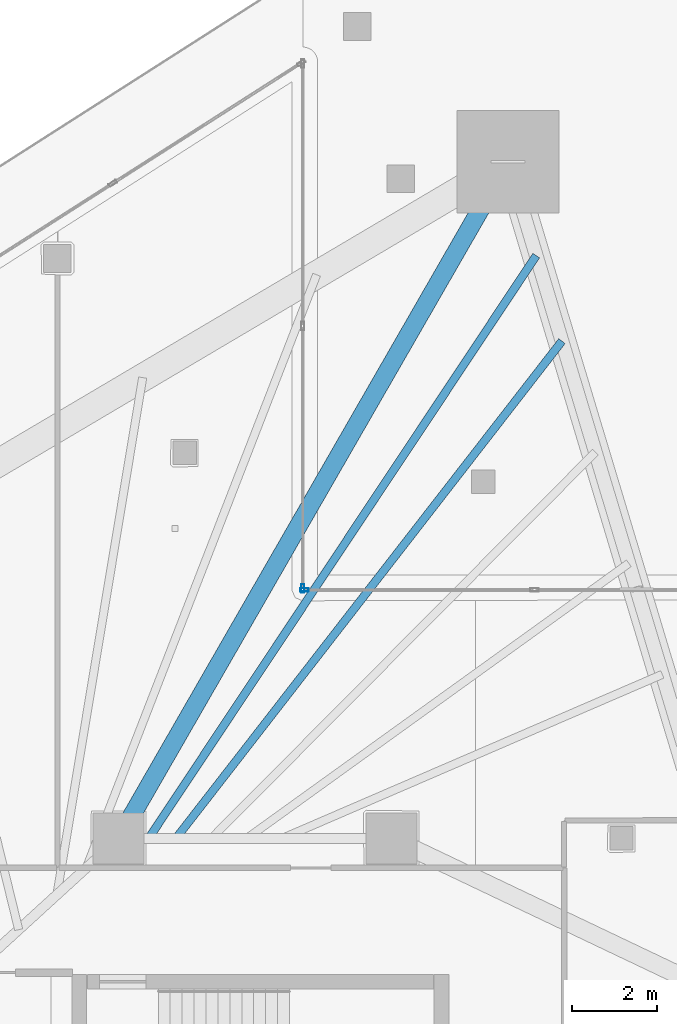
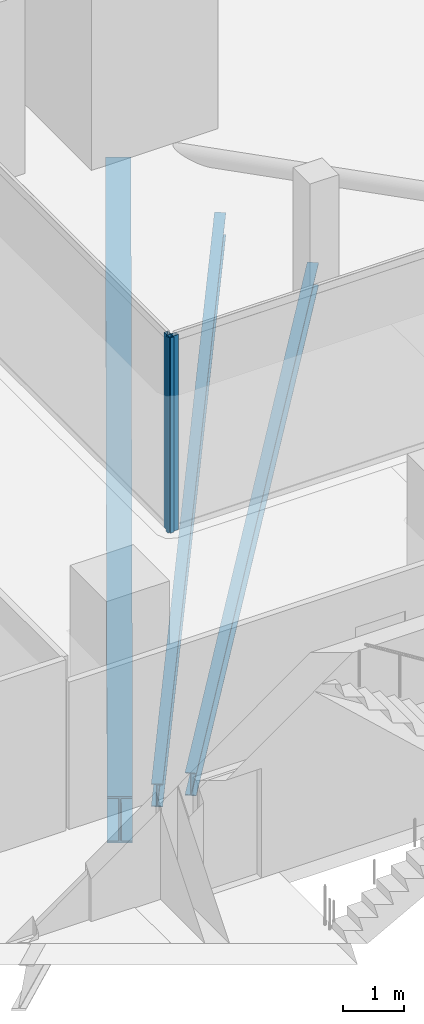
# One storey, part 18 of 44: 3 beams, 2 members, 2 elements without a shape of their own.
"""IFC4 building model written with IfcOpenShell, lengths in metres."""

from ifc_helpers import new_model, si_unit, direction, frame, origin, origin_2d, place, context, subcontext, project, spatial, hollow_rectangle, i_section, extrude, material, layer, layer_set, material_profile, profile_set, type_object, element, aggregate, save


model = new_model("IFC4")

# Units and contexts
model_context = context("Model", 3, precision=1e-05, world=origin(), true_north=direction((0.0, 1.0)))
body_context = subcontext(model_context, "Body", "Model", "MODEL_VIEW")
ifc_project = project(units=[si_unit("LENGTHUNIT", "METRE"), si_unit("AREAUNIT", "SQUARE_METRE"), si_unit("VOLUMEUNIT", "CUBIC_METRE"), si_unit("PLANEANGLEUNIT", "RADIAN"), si_unit("MASSUNIT", "GRAM", prefix="KILO")], contexts=[model_context])

# Site, building, storey
site_placement = place(None, origin())
site = spatial("IfcSite", under=ifc_project, at=site_placement, CompositionType="ELEMENT")
building_placement = place(site_placement, origin())
building = spatial("IfcBuilding", under=site, at=building_placement, Name="Qorvath Tower", CompositionType="ELEMENT")
storey_placement = place(building_placement, frame((0.0, 0.0, 78.60009765625)))
storey = spatial("IfcBuildingStorey", under=building, at=storey_placement, Name="L17", CompositionType="ELEMENT", Elevation=78.60009765625)

# Beams
ifc_material_1 = material(Name="Steel ASTM A992 Grade 50", Category="steel")
ifc_material_profile_1 = material_profile(ifc_material_1, i_section(OverallWidth=0.422119140625, OverallDepth=0.93310546875, WebThickness=0.021240234375, FlangeThickness=0.039794921875, FilletRadius=0.02392578125, at=origin_2d()), Name="W36x262")
ifc_profile_set_1 = profile_set([ifc_material_profile_1], Name="Steel ASTM A992 Grade 50")
beam_type_1 = type_object("IfcBeamType", Name="BM-FG1", PredefinedType="BEAM", material=ifc_profile_set_1)
beam_1_placement = place(storey_placement, frame((-23.60009765625, 11.449951171875, -0.74658203125), z_axis=(0.498645367714, 0.866806089767, 0.0), x_axis=(-0.866806089767, 0.498645367714, 0.0)))
element("IfcBeam", 1, at=beam_1_placement, inside=storey, type_object=beam_type_1, Name="Radial Floor Girder CC1-MC6 L17", PredefinedType="BEAM", context=body_context, shape_type="SweptSolid", body=[
    extrude(i_section(OverallWidth=0.422119140625, OverallDepth=0.93310546875, WebThickness=0.021240234375, FlangeThickness=0.039794921875, FilletRadius=0.02392578125, at=origin_2d()), origin(), (0.0, 0.0, 1.0), 18.321044921875),
])
ifc_material_2 = material(Name="Steel ASTM A992 Grade 50", Category="steel")
ifc_material_profile_2 = material_profile(ifc_material_2, i_section(OverallWidth=0.18994140625, OverallDepth=0.45703125, WebThickness=0.009033203125, FlangeThickness=0.014404296875, FilletRadius=0.011962890625, at=origin_2d()), Name="W18x50")
ifc_profile_set_2 = profile_set([ifc_material_profile_2], Name="Steel ASTM A992 Grade 50")
beam_type_2 = type_object("IfcBeamType", Name="BM-FJ2", PredefinedType="JOIST", material=ifc_profile_set_2)
beam_2_placement = place(storey_placement, frame((-22.256103515625, 11.449951171875, -0.508544921875), z_axis=(0.613206963859, 0.789922286984, 0.0), x_axis=(-0.789922286984, 0.613206963859, 0.0)))
element("IfcBeam", 2, at=beam_2_placement, inside=storey, type_object=beam_type_2, Name="Composite Floor Joist NE6 L17", PredefinedType="JOIST", context=body_context, shape_type="SweptSolid", body=[
    extrude(i_section(OverallWidth=0.18994140625, OverallDepth=0.45703125, WebThickness=0.009033203125, FlangeThickness=0.014404296875, FilletRadius=0.011962890625, at=origin_2d()), origin(), (0.0, 0.0, 1.0), 14.77294921875),
])
beam_3_placement = place(storey_placement, frame((-22.89599609375, 11.449951171875, -0.508544921875), z_axis=(0.553811384989, 0.83264214994, 0.0), x_axis=(-0.83264214994, 0.553811384989, 0.0)))
element("IfcBeam", 3, at=beam_3_placement, inside=storey, type_object=beam_type_2, Name="Composite Floor Joist NE7 L17", PredefinedType="JOIST", context=body_context, shape_type="SweptSolid", body=[
    extrude(i_section(OverallWidth=0.18994140625, OverallDepth=0.45703125, WebThickness=0.009033203125, FlangeThickness=0.014404296875, FilletRadius=0.011962890625, at=origin_2d()), origin(), (0.0, 0.0, 1.0), 16.42333984375),
])

# Curtain wall, member
ifc_material_3 = material(Name="Anodised aluminium and triple low-E glass", Category="aluminium")
ifc_layer = layer(ifc_material_3, 0.179931640625)
ifc_layer_set = layer_set([ifc_layer], Name="CW-SYS-5")
curtain_wall_type = type_object("IfcCurtainWallType", Name="CW-SYS-5", PredefinedType="NOTDEFINED", material=ifc_layer_set)
curtain_wall_1_placement = place(storey_placement, origin())
curtain_wall_1 = element("IfcCurtainWall", 4, at=curtain_wall_1_placement, inside=storey, type_object=curtain_wall_type, Name="Curtain Wall CW-5 CW-T-L17-2.1", PredefinedType="NOTDEFINED")
ifc_material_4 = material(Name="Anodised aluminium 6063-T6", Category="aluminium")
ifc_material_profile_3 = material_profile(ifc_material_4, hollow_rectangle(XDim=0.074951171875, YDim=0.199951171875, WallThickness=0.00390625, InnerFilletRadius=0.00390625, OuterFilletRadius=0.008056640625, at=origin_2d()), Name="CWM 200x75")
ifc_profile_set_3 = profile_set([ifc_material_profile_3], Name="Anodised aluminium 6063-T6")
member_type = type_object("IfcMemberType", Name="CWM-200", PredefinedType="MULLION", material=ifc_profile_set_3)
member_1_placement = place(storey_placement, frame((-19.242431640625, 17.280029296875, 0.0), z_axis=(0.0, 0.0, 1.0), x_axis=(0.0, -1.0, 0.0)))
member_1 = element("IfcMember", 5, at=member_1_placement, type_object=member_type, Name="CW-5 mullion 4", PredefinedType="MULLION", context=body_context, shape_type="SweptSolid", body=[
    extrude(hollow_rectangle(XDim=0.074951171875, YDim=0.199951171875, WallThickness=0.00390625, InnerFilletRadius=0.00390625, OuterFilletRadius=0.008056640625, at=origin_2d()), origin(), (0.0, 0.0, 1.0), 3.919921875),
])
aggregate(curtain_wall_1, [member_1])

curtain_wall_2_placement = place(storey_placement, origin())
curtain_wall_2 = element("IfcCurtainWall", 6, at=curtain_wall_2_placement, inside=storey, type_object=curtain_wall_type, Name="Curtain Wall CW-5 CW-T-L17-3.1", PredefinedType="NOTDEFINED")
member_2_placement = place(storey_placement, frame((-19.280029296875, 17.3173828125, 0.0), z_axis=(0.0, 0.0, 1.0), x_axis=(-1.0, 0.0, 0.0)))
member_2 = element("IfcMember", 7, at=member_2_placement, type_object=member_type, Name="CW-5 mullion 1", PredefinedType="MULLION", context=body_context, shape_type="SweptSolid", body=[
    extrude(hollow_rectangle(XDim=0.074951171875, YDim=0.199951171875, WallThickness=0.00390625, InnerFilletRadius=0.00390625, OuterFilletRadius=0.008056640625, at=origin_2d()), origin(), (0.0, 0.0, 1.0), 3.919921875),
])
aggregate(curtain_wall_2, [member_2])

save(model, "model.ifc")
